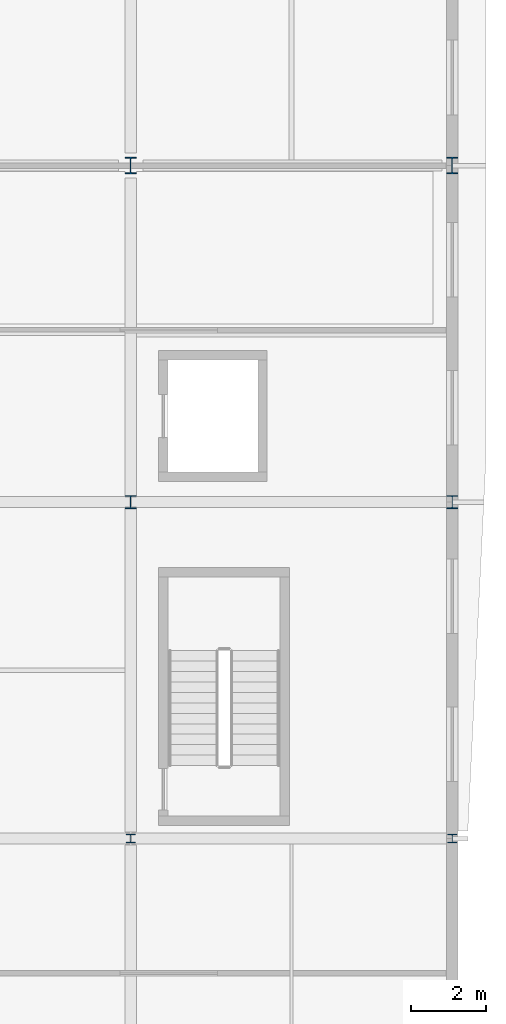
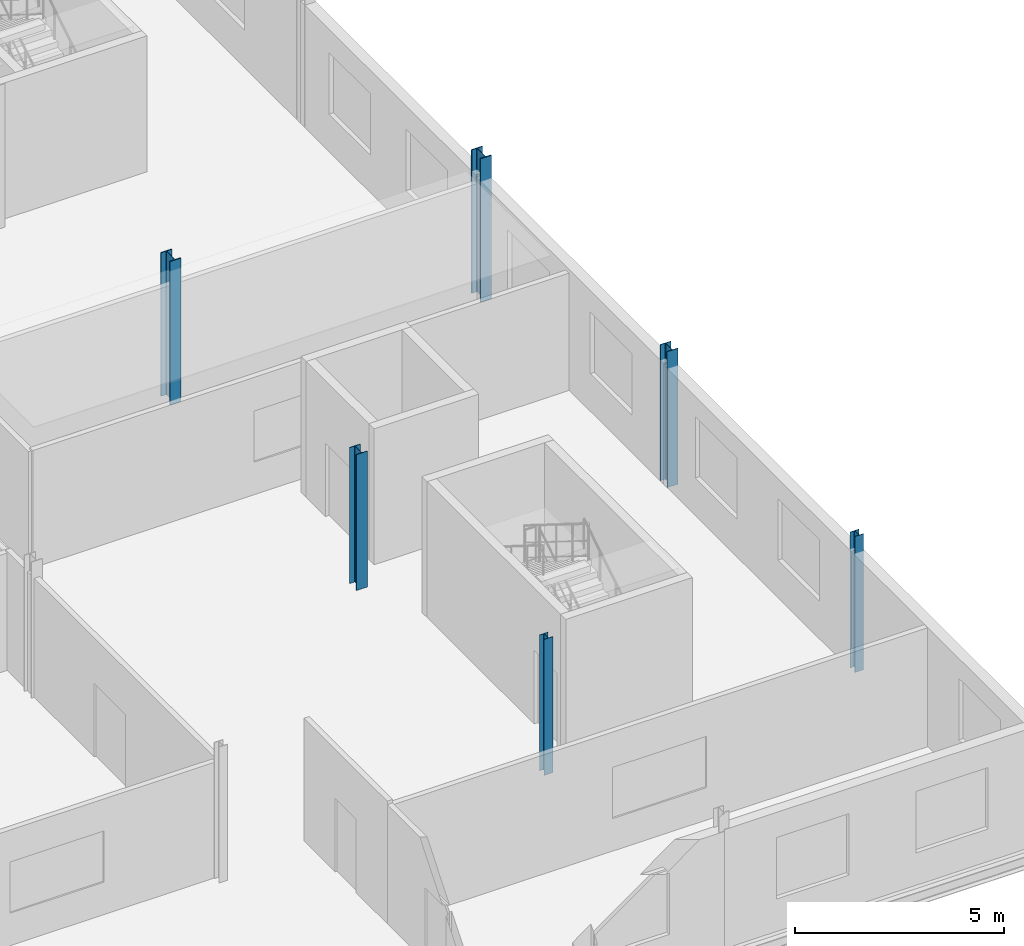
# One storey, part 21 of 138: 6 columns.
"""IFC4 building model written with IfcOpenShell, lengths in metres."""

from ifc_helpers import new_model, si_unit, direction, frame, origin, origin_2d, place, context, subcontext, project, spatial, i_section, extrude, material, material_profile, profile_set, type_object, element, save


model = new_model("IFC4")

# Units and contexts
model_context = context("Model", 3, precision=1e-05, world=origin(), true_north=direction((0.0, 1.0)))
body_context = subcontext(model_context, "Body", "Model", "MODEL_VIEW")
ifc_project = project(units=[si_unit("LENGTHUNIT", "METRE"), si_unit("AREAUNIT", "SQUARE_METRE"), si_unit("VOLUMEUNIT", "CUBIC_METRE"), si_unit("PLANEANGLEUNIT", "RADIAN"), si_unit("MASSUNIT", "GRAM", prefix="KILO")], contexts=[model_context])

# Site, building, storey
site_placement = place(None, origin())
site = spatial("IfcSite", under=ifc_project, at=site_placement, CompositionType="ELEMENT")
building_placement = place(site_placement, origin())
building = spatial("IfcBuilding", under=site, at=building_placement, Name="Vinh Khe Railworks Police Headquarters", CompositionType="ELEMENT")
storey_placement = place(building_placement, frame((0.0, 0.0, 9.0)))
storey = spatial("IfcBuildingStorey", under=building, at=storey_placement, Name="L02", CompositionType="ELEMENT", Elevation=9.0)

# Columns
ifc_material = material(Name="Steel S355JR", Category="steel")
ifc_material_profile_1 = material_profile(ifc_material, i_section(OverallWidth=0.239990234375, OverallDepth=0.22998046875, WebThickness=0.007568359375, FlangeThickness=0.011962890625, FilletRadius=0.02099609375, at=origin_2d()), Name="HEA 240")
ifc_profile_set_1 = profile_set([ifc_material_profile_1], Name="Steel S355JR")
column_type_1 = type_object("IfcColumnType", Name="Steel Column HEA 240", PredefinedType="COLUMN", material=ifc_profile_set_1)
for number, where, z_axis, x_axis, name in (
    (1, (105.0, 104.39990234375, 0.0), (0.0, 0.0, 1.0), (1.0, 0.0, 0.0), "Column COL-L02-SC-20-1341"),
    (2, (113.60009765625, 104.39990234375, 0.0), (0.0, 0.0, 1.0), (1.0, 0.0, 0.0), "Column COL-L02-SC-20-1402"),
):
    element("IfcColumn", number, at=place(storey_placement, frame(where, z_axis=z_axis, x_axis=x_axis)), inside=storey, type_object=column_type_1, Name=name, PredefinedType="COLUMN", context=body_context, shape_type="SweptSolid", body=[
        extrude(i_section(OverallWidth=0.239990234375, OverallDepth=0.22998046875, WebThickness=0.007568359375, FlangeThickness=0.011962890625, FilletRadius=0.02099609375, at=origin_2d()), origin(), (0.0, 0.0, 1.0), 3.97998046875),
    ])
ifc_material_profile_2 = material_profile(ifc_material, i_section(OverallWidth=0.300048828125, OverallDepth=0.35009765625, WebThickness=0.010009765625, FlangeThickness=0.017578125, FilletRadius=0.027099609375, at=origin_2d()), Name="HEA 360")
ifc_profile_set_2 = profile_set([ifc_material_profile_2], Name="Steel S355JR")
column_type_2 = type_object("IfcColumnType", Name="Steel Column HEA 360", PredefinedType="COLUMN", material=ifc_profile_set_2)
for number, where, z_axis, x_axis, name in (
    (3, (105.0, 113.39990234375, 0.0), (0.0, 0.0, 1.0), (1.0, 0.0, 0.0), "Column COL-L02-SC-16-1345"),
    (4, (113.60009765625, 113.39990234375, 0.0), (0.0, 0.0, 1.0), (1.0, 0.0, 0.0), "Column COL-L02-SC-16-1406"),
):
    element("IfcColumn", number, at=place(storey_placement, frame(where, z_axis=z_axis, x_axis=x_axis)), inside=storey, type_object=column_type_2, Name=name, PredefinedType="COLUMN", context=body_context, shape_type="SweptSolid", body=[
        extrude(i_section(OverallWidth=0.300048828125, OverallDepth=0.35009765625, WebThickness=0.010009765625, FlangeThickness=0.017578125, FilletRadius=0.027099609375, at=origin_2d()), origin(), (0.0, 0.0, 1.0), 3.97998046875),
    ])
ifc_material_profile_3 = material_profile(ifc_material, i_section(OverallWidth=0.300048828125, OverallDepth=0.449951171875, WebThickness=0.013916015625, FlangeThickness=0.02587890625, FilletRadius=0.027099609375, at=origin_2d()), Name="HEB 450")
ifc_profile_set_3 = profile_set([ifc_material_profile_3], Name="Steel S355JR")
column_type_3 = type_object("IfcColumnType", Name="Steel Column HEB 450", PredefinedType="COLUMN", material=ifc_profile_set_3)
for number, where, z_axis, x_axis, name in (
    (5, (105.0, 122.39990234375, 0.0), (0.0, 0.0, 1.0), (1.0, 0.0, 0.0), "Column COL-L02-SC-07-1349"),
    (6, (113.60009765625, 122.39990234375, 0.0), (0.0, 0.0, 1.0), (1.0, 0.0, 0.0), "Column COL-L02-SC-07-1410"),
):
    element("IfcColumn", number, at=place(storey_placement, frame(where, z_axis=z_axis, x_axis=x_axis)), inside=storey, type_object=column_type_3, Name=name, PredefinedType="COLUMN", context=body_context, shape_type="SweptSolid", body=[
        extrude(i_section(OverallWidth=0.300048828125, OverallDepth=0.449951171875, WebThickness=0.013916015625, FlangeThickness=0.02587890625, FilletRadius=0.027099609375, at=origin_2d()), origin(), (0.0, 0.0, 1.0), 4.199951171875),
    ])

save(model, "model.ifc")
